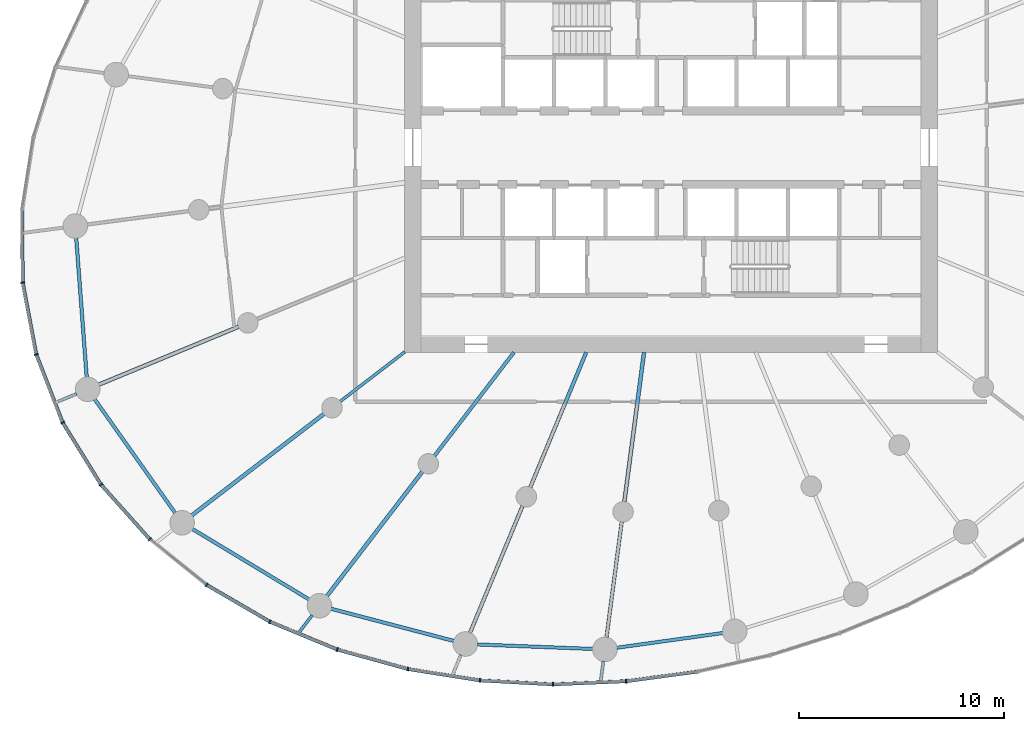
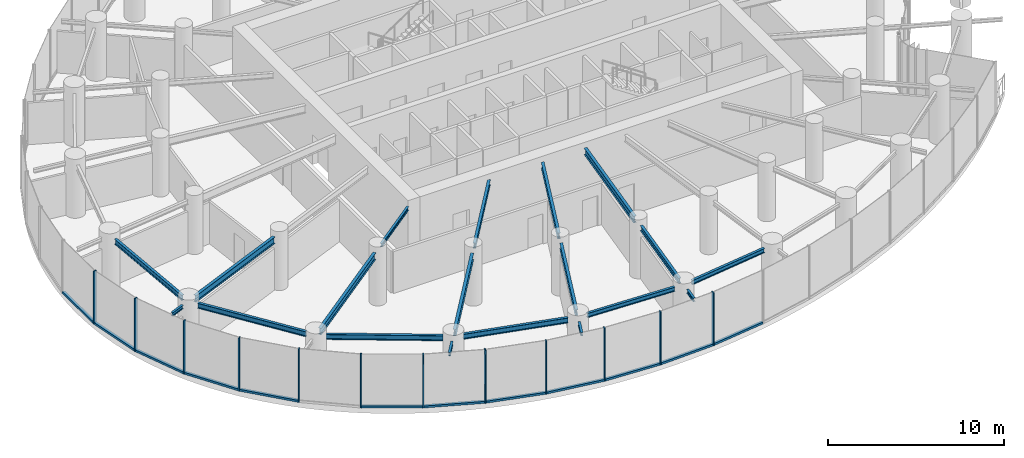
# One storey, part 2 of 21: 24 members, 19 beams, 3 elements without a shape of their own.
"""IFC4 building model written with IfcOpenShell, lengths in metres."""

from ifc_helpers import new_model, si_unit, direction, frame, origin, origin_2d, place, context, subcontext, project, spatial, rectangle, i_section, extrude, source, transform, mapped, material, layer, layer_set, material_profile, profile_set, type_object, element, aggregate, save


model = new_model("IFC4")

# Units and contexts
model_context = context("Model", 3, precision=1e-05, world=origin(), true_north=direction((0.0, 1.0)))
body_context = subcontext(model_context, "Body", "Model", "MODEL_VIEW")
ifc_project = project(units=[si_unit("LENGTHUNIT", "METRE"), si_unit("AREAUNIT", "SQUARE_METRE"), si_unit("VOLUMEUNIT", "CUBIC_METRE"), si_unit("PLANEANGLEUNIT", "RADIAN"), si_unit("MASSUNIT", "GRAM", prefix="KILO")], contexts=[model_context])

# Site, building, storey
site_placement = place(None, origin())
site = spatial("IfcSite", under=ifc_project, at=site_placement, CompositionType="ELEMENT")
building_placement = place(site_placement, origin())
building = spatial("IfcBuilding", under=site, at=building_placement, Name="Spindrift Exchange Tower", CompositionType="ELEMENT")
storey_placement = place(building_placement, frame((0.0, 0.0, 83.89990234375)))
storey = spatial("IfcBuildingStorey", under=building, at=storey_placement, Name="L19", CompositionType="ELEMENT", Elevation=83.89990234375)

# Beams
ifc_material_1 = material(Name="Steel Grade 300", Category="steel")
ifc_material_profile_1 = material_profile(ifc_material_1, i_section(OverallWidth=0.14599609375, OverallDepth=0.251953125, WebThickness=0.006103515625, FlangeThickness=0.008544921875, FilletRadius=0.011962890625, at=origin_2d()), Name="250UB31.4")
ifc_profile_set_1 = profile_set([ifc_material_profile_1], Name="Steel Grade 300")
beam_type_1 = type_object("IfcBeamType", Name="Floor Beam 250UB31.4 Steel Grade 300", PredefinedType="BEAM", material=ifc_profile_set_1)
shared_shape_1 = source(origin(), body_context, "Body", "SweptSolid", [
    extrude(i_section(OverallWidth=0.14599609375, OverallDepth=0.251953125, WebThickness=0.006103515625, FlangeThickness=0.008544921875, FilletRadius=0.011962890625, at=origin_2d()), origin(), (0.0, 0.0, 1.0), 3.99560546875),
])
beam_1_placement = place(storey_placement, frame((39.015869140625, 38.036865234375, 3.57421875), z_axis=(-0.793352561574, -0.608762443851, 0.0), x_axis=(0.608762443851, -0.793352561574, 0.0)))
element("IfcBeam", 1, at=beam_1_placement, inside=storey, type_object=beam_type_1, Name="L19 radial beam R15A", PredefinedType="BEAM", context=body_context, shape_type="MappedRepresentation", body=[
    mapped(shared_shape_1, transform((0.0, 0.0, 0.0), scale=1.0)),
])
ifc_material_profile_2 = material_profile(ifc_material_1, i_section(OverallWidth=0.172119140625, OverallDepth=0.35888671875, WebThickness=0.008056640625, FlangeThickness=0.012939453125, FilletRadius=0.013916015625, at=origin_2d()), Name="360UB56.7")
ifc_profile_set_2 = profile_set([ifc_material_profile_2], Name="Steel Grade 300")
beam_type_2 = type_object("IfcBeamType", Name="Floor Beam 360UB56.7 Steel Grade 300", PredefinedType="BEAM", material=ifc_profile_set_2)
shared_shape_2 = source(origin(), body_context, "Body", "SweptSolid", [
    extrude(i_section(OverallWidth=0.172119140625, OverallDepth=0.35888671875, WebThickness=0.008056640625, FlangeThickness=0.012939453125, FilletRadius=0.013916015625, at=origin_2d()), origin(), (0.0, 0.0, 1.0), 6.37646484375),
])
beam_2_placement = place(storey_placement, frame((44.3388671875, 38.015869140625, 3.5205078125), z_axis=(-0.608766669952, -0.793349318747, 0.0), x_axis=(0.793349318747, -0.608766669952, 0.0)))
element("IfcBeam", 2, at=beam_2_placement, inside=storey, type_object=beam_type_2, Name="L19 radial beam R16A", PredefinedType="BEAM", context=body_context, shape_type="MappedRepresentation", body=[
    mapped(shared_shape_2, transform((0.0, 0.0, 0.0), scale=1.0)),
])
ifc_material_profile_3 = material_profile(ifc_material_1, i_section(OverallWidth=0.177978515625, OverallDepth=0.406005859375, WebThickness=0.0078125, FlangeThickness=0.0126953125, FilletRadius=0.013916015625, at=origin_2d()), Name="410UB59.7")
ifc_profile_set_3 = profile_set([ifc_material_profile_3], Name="Steel Grade 300")
beam_type_3 = type_object("IfcBeamType", Name="Floor Beam 410UB59.7 Steel Grade 300", PredefinedType="BEAM", material=ifc_profile_set_3)
shared_shape_3 = source(origin(), body_context, "Body", "SweptSolid", [
    extrude(i_section(OverallWidth=0.177978515625, OverallDepth=0.406005859375, WebThickness=0.0078125, FlangeThickness=0.0126953125, FilletRadius=0.013916015625, at=origin_2d()), origin(), (0.0, 0.0, 1.0), 7.150634765625),
])
beam_3_placement = place(storey_placement, frame((47.865478515625, 38.0185546875, 3.4970703125), z_axis=(-0.382665393358, -0.923887004306, 0.0), x_axis=(0.923887004306, -0.382665393358, 0.0)))
element("IfcBeam", 3, at=beam_3_placement, inside=storey, type_object=beam_type_3, Name="L19 radial beam R17A", PredefinedType="BEAM", context=body_context, shape_type="MappedRepresentation", body=[
    mapped(shared_shape_3, transform((0.0, 0.0, 0.0), scale=1.0)),
])
ifc_material_profile_4 = material_profile(ifc_material_1, i_section(OverallWidth=0.18994140625, OverallDepth=0.45703125, WebThickness=0.009033203125, FlangeThickness=0.014404296875, FilletRadius=0.013916015625, at=origin_2d()), Name="460UB74.6")
ifc_profile_set_4 = profile_set([ifc_material_profile_4], Name="Steel Grade 300")
beam_type_4 = type_object("IfcBeamType", Name="Floor Beam 460UB74.6 Steel Grade 300", PredefinedType="BEAM", material=ifc_profile_set_4)
shared_shape_4 = source(origin(), body_context, "Body", "SweptSolid", [
    extrude(i_section(OverallWidth=0.18994140625, OverallDepth=0.45703125, WebThickness=0.009033203125, FlangeThickness=0.014404296875, FilletRadius=0.013916015625, at=origin_2d()), origin(), (0.0, 0.0, 1.0), 7.374267578125),
])
beam_4_placement = place(storey_placement, frame((50.68603515625, 38.019775390625, 3.4716796875), z_axis=(-0.130539295622, -0.99144313619, 0.0), x_axis=(0.99144313619, -0.130539295622, 0.0)))
element("IfcBeam", 4, at=beam_4_placement, inside=storey, type_object=beam_type_4, Name="L19 radial beam R18A", PredefinedType="BEAM", context=body_context, shape_type="MappedRepresentation", body=[
    mapped(shared_shape_4, transform((0.0, 0.0, 0.0), scale=1.0)),
])
shared_shape_5 = source(origin(), body_context, "Body", "SweptSolid", [
    extrude(i_section(OverallWidth=0.18994140625, OverallDepth=0.45703125, WebThickness=0.009033203125, FlangeThickness=0.014404296875, FilletRadius=0.013916015625, at=origin_2d()), origin(), (0.0, 0.0, 1.0), 7.400146484375),
])
beam_5_placement = place(storey_placement, frame((30.917236328125, 39.26708984375, 3.4716796875), z_axis=(-0.923886957755, -0.382665505749, 0.0), x_axis=(0.382665505749, -0.923886957755, 0.0)))
element("IfcBeam", 5, at=beam_5_placement, inside=storey, type_object=beam_type_4, Name="L19 radial beam R14B", PredefinedType="BEAM", context=body_context, shape_type="MappedRepresentation", body=[
    mapped(shared_shape_5, transform((0.0, 0.0, 0.0), scale=1.0)),
])
shared_shape_6 = source(origin(), body_context, "Body", "SweptSolid", [
    extrude(i_section(OverallWidth=0.18994140625, OverallDepth=0.45703125, WebThickness=0.009033203125, FlangeThickness=0.014404296875, FilletRadius=0.013916015625, at=origin_2d()), origin(), (0.0, 0.0, 1.0), 8.158447265625),
])
beam_6_placement = place(storey_placement, frame((35.08447265625, 35.020263671875, 3.4716796875), z_axis=(-0.793358732539, -0.608754401631, 0.0), x_axis=(0.608754401631, -0.793358732539, 0.0)))
element("IfcBeam", 6, at=beam_6_placement, inside=storey, type_object=beam_type_4, Name="L19 radial beam R15B", PredefinedType="BEAM", context=body_context, shape_type="MappedRepresentation", body=[
    mapped(shared_shape_6, transform((0.0, 0.0, 0.0), scale=1.0)),
])
shared_shape_7 = source(origin(), body_context, "Body", "SweptSolid", [
    extrude(i_section(OverallWidth=0.18994140625, OverallDepth=0.45703125, WebThickness=0.009033203125, FlangeThickness=0.014404296875, FilletRadius=0.013916015625, at=origin_2d()), origin(), (0.0, 0.0, 1.0), 7.663818359375),
])
beam_7_placement = place(storey_placement, frame((39.872802734375, 32.1953125, 3.4716796875), z_axis=(-0.608771227503, -0.793345821546, 0.0), x_axis=(0.793345821546, -0.608771227503, 0.0)))
element("IfcBeam", 7, at=beam_7_placement, inside=storey, type_object=beam_type_4, Name="L19 radial beam R16B", PredefinedType="BEAM", context=body_context, shape_type="MappedRepresentation", body=[
    mapped(shared_shape_7, transform((0.0, 0.0, 0.0), scale=1.0)),
])
shared_shape_8 = source(origin(), body_context, "Body", "SweptSolid", [
    extrude(i_section(OverallWidth=0.177978515625, OverallDepth=0.406005859375, WebThickness=0.0078125, FlangeThickness=0.0126953125, FilletRadius=0.013916015625, at=origin_2d()), origin(), (0.0, 0.0, 1.0), 6.71240234375),
])
beam_8_placement = place(storey_placement, frame((44.76171875, 30.525146484375, 3.4970703125), z_axis=(-0.382669812754, -0.923885173821, 0.0), x_axis=(0.923885173821, -0.382669812754, 0.0)))
element("IfcBeam", 8, at=beam_8_placement, inside=storey, type_object=beam_type_3, Name="L19 radial beam R17B", PredefinedType="BEAM", context=body_context, shape_type="MappedRepresentation", body=[
    mapped(shared_shape_8, transform((0.0, 0.0, 0.0), scale=1.0)),
])
shared_shape_9 = source(origin(), body_context, "Body", "SweptSolid", [
    extrude(i_section(OverallWidth=0.172119140625, OverallDepth=0.35888671875, WebThickness=0.008056640625, FlangeThickness=0.012939453125, FilletRadius=0.013916015625, at=origin_2d()), origin(), (0.0, 0.0, 1.0), 5.70751953125),
])
beam_9_placement = place(storey_placement, frame((49.59814453125, 29.7568359375, 3.5205078125), z_axis=(-0.130507624881, -0.991447305634, 0.0), x_axis=(0.991447305634, -0.130507624881, 0.0)))
element("IfcBeam", 9, at=beam_9_placement, inside=storey, type_object=beam_type_2, Name="L19 radial beam R18B", PredefinedType="BEAM", context=body_context, shape_type="MappedRepresentation", body=[
    mapped(shared_shape_9, transform((0.0, 0.0, 0.0), scale=1.0)),
])
ifc_material_profile_5 = material_profile(ifc_material_1, i_section(OverallWidth=0.172119140625, OverallDepth=0.35888671875, WebThickness=0.008056640625, FlangeThickness=0.012939453125, FilletRadius=0.013916015625, at=origin_2d()), Name="360UB56.7")
ifc_profile_set_5 = profile_set([ifc_material_profile_5], Name="Steel Grade 300")
beam_type_5 = type_object("IfcBeamType", Name="Edge Beam 360UB56.7 Steel Grade 300", PredefinedType="SPANDREL", material=ifc_profile_set_5)
shared_shape_10 = source(origin(), body_context, "Body", "SweptSolid", [
    extrude(i_section(OverallWidth=0.172119140625, OverallDepth=0.35888671875, WebThickness=0.008056640625, FlangeThickness=0.012939453125, FilletRadius=0.013916015625, at=origin_2d()), origin(), (0.0, 0.0, 1.0), 6.82373046875),
])
beam_10_placement = place(storey_placement, frame((22.9873046875, 43.59619140625, 3.5205078125), z_axis=(0.075276463877, -0.997162701863, 0.0), x_axis=(0.997162701863, 0.075276463877, 0.0)))
element("IfcBeam", 10, at=beam_10_placement, inside=storey, type_object=beam_type_5, Name="L19 edge beam E13", PredefinedType="SPANDREL", context=body_context, shape_type="MappedRepresentation", body=[
    mapped(shared_shape_10, transform((0.0, 0.0, 0.0), scale=1.0)),
])
shared_shape_11 = source(origin(), body_context, "Body", "SweptSolid", [
    extrude(i_section(OverallWidth=0.172119140625, OverallDepth=0.35888671875, WebThickness=0.008056640625, FlangeThickness=0.012939453125, FilletRadius=0.013916015625, at=origin_2d()), origin(), (0.0, 0.0, 1.0), 6.81787109375),
])
beam_11_placement = place(storey_placement, frame((23.87939453125, 35.739990234375, 3.5205078125), z_axis=(0.577526426198, -0.816371990604, 0.0), x_axis=(0.816371990604, 0.577526426198, 0.0)))
element("IfcBeam", 11, at=beam_11_placement, inside=storey, type_object=beam_type_5, Name="L19 edge beam E14", PredefinedType="SPANDREL", context=body_context, shape_type="MappedRepresentation", body=[
    mapped(shared_shape_11, transform((0.0, 0.0, 0.0), scale=1.0)),
])
shared_shape_12 = source(origin(), body_context, "Body", "SweptSolid", [
    extrude(i_section(OverallWidth=0.172119140625, OverallDepth=0.35888671875, WebThickness=0.008056640625, FlangeThickness=0.012939453125, FilletRadius=0.013916015625, at=origin_2d()), origin(), (0.0, 0.0, 1.0), 6.668701171875),
])
beam_12_placement = place(storey_placement, frame((28.6484375, 29.40087890625, 3.5205078125), z_axis=(0.856133207479, -0.516755194508, 0.0), x_axis=(0.516755194508, 0.856133207479, 0.0)))
element("IfcBeam", 12, at=beam_12_placement, inside=storey, type_object=beam_type_5, Name="L19 edge beam E15", PredefinedType="SPANDREL", context=body_context, shape_type="MappedRepresentation", body=[
    mapped(shared_shape_12, transform((0.0, 0.0, 0.0), scale=1.0)),
])
shared_shape_13 = source(origin(), body_context, "Body", "SweptSolid", [
    extrude(i_section(OverallWidth=0.172119140625, OverallDepth=0.35888671875, WebThickness=0.008056640625, FlangeThickness=0.012939453125, FilletRadius=0.013916015625, at=origin_2d()), origin(), (0.0, 0.0, 1.0), 6.197509765625),
])
beam_13_placement = place(storey_placement, frame((35.415283203125, 25.508056640625, 3.5205078125), z_axis=(0.967254420813, -0.253808757567, 0.0), x_axis=(0.253808757567, 0.967254420813, 0.0)))
element("IfcBeam", 13, at=beam_13_placement, inside=storey, type_object=beam_type_5, Name="L19 edge beam E16", PredefinedType="SPANDREL", context=body_context, shape_type="MappedRepresentation", body=[
    mapped(shared_shape_13, transform((0.0, 0.0, 0.0), scale=1.0)),
])
ifc_material_profile_6 = material_profile(ifc_material_1, i_section(OverallWidth=0.1650390625, OverallDepth=0.303955078125, WebThickness=0.006103515625, FlangeThickness=0.01025390625, FilletRadius=0.011474609375, at=origin_2d()), Name="310UB40.4")
ifc_profile_set_6 = profile_set([ifc_material_profile_6], Name="Steel Grade 300")
beam_type_6 = type_object("IfcBeamType", Name="Edge Beam 310UB40.4 Steel Grade 300", PredefinedType="SPANDREL", material=ifc_profile_set_6)
shared_shape_14 = source(origin(), body_context, "Body", "SweptSolid", [
    extrude(i_section(OverallWidth=0.1650390625, OverallDepth=0.303955078125, WebThickness=0.006103515625, FlangeThickness=0.01025390625, FilletRadius=0.011474609375, at=origin_2d()), origin(), (0.0, 0.0, 1.0), 5.65185546875),
])
beam_14_placement = place(storey_placement, frame((42.550537109375, 23.765380859375, 3.548095703125), z_axis=(0.99924397539, -0.038877726865, 0.0), x_axis=(0.038877726865, 0.99924397539, 0.0)))
element("IfcBeam", 14, at=beam_14_placement, inside=storey, type_object=beam_type_6, Name="L19 edge beam E17", PredefinedType="SPANDREL", context=body_context, shape_type="MappedRepresentation", body=[
    mapped(shared_shape_14, transform((0.0, 0.0, 0.0), scale=1.0)),
])
shared_shape_15 = source(origin(), body_context, "Body", "SweptSolid", [
    extrude(i_section(OverallWidth=0.1650390625, OverallDepth=0.303955078125, WebThickness=0.006103515625, FlangeThickness=0.01025390625, FilletRadius=0.011474609375, at=origin_2d()), origin(), (0.0, 0.0, 1.0), 5.22998046875),
])
beam_15_placement = place(storey_placement, frame((49.35205078125, 23.603271484375, 3.548095703125), z_axis=(0.990440078597, 0.137943650481, 0.0), x_axis=(-0.137943650481, 0.990440078597, 0.0)))
element("IfcBeam", 15, at=beam_15_placement, inside=storey, type_object=beam_type_6, Name="L19 edge beam E18", PredefinedType="SPANDREL", context=body_context, shape_type="MappedRepresentation", body=[
    mapped(shared_shape_15, transform((0.0, 0.0, 0.0), scale=1.0)),
])
ifc_material_profile_7 = material_profile(ifc_material_1, i_section(OverallWidth=0.14599609375, OverallDepth=0.251953125, WebThickness=0.006103515625, FlangeThickness=0.008544921875, FilletRadius=0.011962890625, at=origin_2d()), Name="250UB31.4")
ifc_profile_set_7 = profile_set([ifc_material_profile_7], Name="Steel Grade 300")
beam_type_7 = type_object("IfcBeamType", Name="Cantilever Beam 250UB31.4 Steel Grade 300", PredefinedType="BEAM", material=ifc_profile_set_7)
shared_shape_16 = source(origin(), body_context, "Body", "SweptSolid", [
    extrude(i_section(OverallWidth=0.14599609375, OverallDepth=0.251953125, WebThickness=0.006103515625, FlangeThickness=0.008544921875, FilletRadius=0.011962890625, at=origin_2d()), origin(), (0.0, 0.0, 1.0), 0.986328125),
])
beam_16_placement = place(storey_placement, frame((23.0087890625, 35.991455078125, 3.57421875), z_axis=(-0.92390221415, -0.382628669455, 0.0), x_axis=(0.382628669455, -0.92390221415, 0.0)))
element("IfcBeam", 16, at=beam_16_placement, inside=storey, type_object=beam_type_7, Name="L19 cantilever beam R14T", PredefinedType="BEAM", context=body_context, shape_type="MappedRepresentation", body=[
    mapped(shared_shape_16, transform((0.0, 0.0, 0.0), scale=1.0)),
])
shared_shape_17 = source(origin(), body_context, "Body", "SweptSolid", [
    extrude(i_section(OverallWidth=0.14599609375, OverallDepth=0.251953125, WebThickness=0.006103515625, FlangeThickness=0.008544921875, FilletRadius=0.011962890625, at=origin_2d()), origin(), (0.0, 0.0, 1.0), 1.150634765625),
])
beam_17_placement = place(storey_placement, frame((34.501220703125, 25.195068359375, 3.57421875), z_axis=(-0.608756673514, -0.793356989288, 0.0), x_axis=(0.793356989288, -0.608756673514, 0.0)))
element("IfcBeam", 17, at=beam_17_placement, inside=storey, type_object=beam_type_7, Name="L19 cantilever beam R16T", PredefinedType="BEAM", context=body_context, shape_type="MappedRepresentation", body=[
    mapped(shared_shape_17, transform((0.0, 0.0, 0.0), scale=1.0)),
])
shared_shape_18 = source(origin(), body_context, "Body", "SweptSolid", [
    extrude(i_section(OverallWidth=0.14599609375, OverallDepth=0.251953125, WebThickness=0.006103515625, FlangeThickness=0.008544921875, FilletRadius=0.011962890625, at=origin_2d()), origin(), (0.0, 0.0, 1.0), 1.110107421875),
])
beam_18_placement = place(storey_placement, frame((41.7490234375, 23.251953125, 3.57421875), z_axis=(-0.382662563028, -0.923888176598, 0.0), x_axis=(0.923888176598, -0.382662563028, 0.0)))
element("IfcBeam", 18, at=beam_18_placement, inside=storey, type_object=beam_type_7, Name="L19 cantilever beam R17T", PredefinedType="BEAM", context=body_context, shape_type="MappedRepresentation", body=[
    mapped(shared_shape_18, transform((0.0, 0.0, 0.0), scale=1.0)),
])
shared_shape_19 = source(origin(), body_context, "Body", "SweptSolid", [
    extrude(i_section(OverallWidth=0.14599609375, OverallDepth=0.251953125, WebThickness=0.006103515625, FlangeThickness=0.008544921875, FilletRadius=0.011962890625, at=origin_2d()), origin(), (0.0, 0.0, 1.0), 0.97802734375),
])
beam_19_placement = place(storey_placement, frame((48.701904296875, 22.9482421875, 3.57421875), z_axis=(-0.130544907794, -0.991442397242, 0.0), x_axis=(0.991442397242, -0.130544907794, 0.0)))
element("IfcBeam", 19, at=beam_19_placement, inside=storey, type_object=beam_type_7, Name="L19 cantilever beam R18T", PredefinedType="BEAM", context=body_context, shape_type="MappedRepresentation", body=[
    mapped(shared_shape_19, transform((0.0, 0.0, 0.0), scale=1.0)),
])

# Curtain wall, members
ifc_material_2 = material(Name="Fritted laminated glass with bronze frame", Category="glass")
ifc_layer = layer(ifc_material_2, 0.18994140625)
ifc_layer_set = layer_set([ifc_layer], Name="ZONE 2 BRONZE FRITTED WALL")
curtain_wall_type = type_object("IfcCurtainWallType", Name="ZONE 2 BRONZE FRITTED WALL", PredefinedType="NOTDEFINED", material=ifc_layer_set)
curtain_wall_1_placement = place(storey_placement, origin())
curtain_wall_1 = element("IfcCurtainWall", 20, at=curtain_wall_1_placement, inside=storey, type_object=curtain_wall_type, Name="L19 Zone 2 Bronze Fritted Wall run 5", PredefinedType="NOTDEFINED")
ifc_material_3 = material(Name="Bronze anodised aluminium", Category="aluminium")
ifc_material_profile_8 = material_profile(ifc_material_3, rectangle(XDim=0.169921875, YDim=0.139892578125, at=origin_2d()), Name="ZONE 2 BRONZE FRITTED WALL TRANSOM 170X140")
ifc_profile_set_8 = profile_set([ifc_material_profile_8], Name="Bronze anodised aluminium")
member_type_1 = type_object("IfcMemberType", Name="ZONE 2 BRONZE FRITTED WALL TRANSOM 170X140", PredefinedType="USERDEFINED", material=ifc_profile_set_8)
shared_shape_20 = source(origin(), body_context, "Body", "SweptSolid", [
    extrude(rectangle(XDim=0.169921875, YDim=0.139892578125, at=origin_2d()), origin(), (0.0, 0.0, 1.0), 3.4912109375),
])
member_1_placement = place(storey_placement, frame((42.72314453125, 22.009765625, 0.070068359375), z_axis=(0.998560450596, -0.053637920415, 0.0), x_axis=(0.053637920415, 0.998560450596, 0.0)))
member_1 = element("IfcMember", 21, at=member_1_placement, type_object=member_type_1, Name="L19 transom CW-2.26", ObjectType="TRANSOM", PredefinedType="USERDEFINED", context=body_context, shape_type="MappedRepresentation", body=[
    mapped(shared_shape_20, transform((0.0, 0.0, 0.0), scale=1.0)),
])
shared_shape_21 = source(origin(), body_context, "Body", "SweptSolid", [
    extrude(rectangle(XDim=0.169921875, YDim=0.139892578125, at=origin_2d()), origin(), (0.0, 0.0, 1.0), 3.49169921875),
])
member_2_placement = place(storey_placement, frame((49.84716796875, 21.97705078125, 0.070068359375), z_axis=(0.991079497499, 0.133272013704, 0.0), x_axis=(-0.133272013704, 0.991079497499, 0.0)))
member_2 = element("IfcMember", 22, at=member_2_placement, type_object=member_type_1, Name="L19 transom CW-2.28", ObjectType="TRANSOM", PredefinedType="USERDEFINED", context=body_context, shape_type="MappedRepresentation", body=[
    mapped(shared_shape_21, transform((0.0, 0.0, 0.0), scale=1.0)),
])

# Curtain wall, member
curtain_wall_2_placement = place(storey_placement, origin())
curtain_wall_2 = element("IfcCurtainWall", 23, at=curtain_wall_2_placement, inside=storey, type_object=curtain_wall_type, Name="L19 Zone 2 Bronze Fritted Wall run 4", PredefinedType="NOTDEFINED")
shared_shape_22 = source(origin(), body_context, "Body", "SweptSolid", [
    extrude(rectangle(XDim=0.169921875, YDim=0.139892578125, at=origin_2d()), origin(), (0.0, 0.0, 1.0), 3.48828125),
])
member_3_placement = place(storey_placement, frame((24.2216796875, 31.531005859375, 0.070068359375), z_axis=(0.666420396369, -0.74557619014, 0.0), x_axis=(0.74557619014, 0.666420396369, 0.0)))
member_3 = element("IfcMember", 24, at=member_3_placement, type_object=member_type_1, Name="L19 transom CW-2.20", ObjectType="TRANSOM", PredefinedType="USERDEFINED", context=body_context, shape_type="MappedRepresentation", body=[
    mapped(shared_shape_22, transform((0.0, 0.0, 0.0), scale=1.0)),
])

curtain_wall_3_placement = place(storey_placement, origin())
curtain_wall_3 = element("IfcCurtainWall", 25, at=curtain_wall_3_placement, inside=storey, type_object=curtain_wall_type, Name="L19 Zone 2 Bronze Fritted Wall run 3", PredefinedType="NOTDEFINED")
shared_shape_23 = source(origin(), body_context, "Body", "SweptSolid", [
    extrude(rectangle(XDim=0.169921875, YDim=0.139892578125, at=origin_2d()), origin(), (0.0, 0.0, 1.0), 3.487548828125),
])
member_4_placement = place(storey_placement, frame((21.051513671875, 37.877685546875, 0.070068359375), z_axis=(0.36129063518, -0.932453257237, 0.0), x_axis=(0.932453257237, 0.36129063518, 0.0)))
member_4 = element("IfcMember", 26, at=member_4_placement, type_object=member_type_1, Name="L19 transom CW-2.18", ObjectType="TRANSOM", PredefinedType="USERDEFINED", context=body_context, shape_type="MappedRepresentation", body=[
    mapped(shared_shape_23, transform((0.0, 0.0, 0.0), scale=1.0)),
])

# Member
shared_shape_24 = source(origin(), body_context, "Body", "SweptSolid", [
    extrude(rectangle(XDim=0.169921875, YDim=0.139892578125, at=origin_2d()), origin(), (0.0, 0.0, 1.0), 3.49072265625),
])
member_5_placement = place(storey_placement, frame((35.76171875, 23.50537109375, 0.070068359375), z_axis=(0.964113694781, -0.265489705142, 0.0), x_axis=(0.265489705142, 0.964113694781, 0.0)))
member_5 = element("IfcMember", 27, at=member_5_placement, type_object=member_type_1, Name="L19 transom CW-2.24", ObjectType="TRANSOM", PredefinedType="USERDEFINED", context=body_context, shape_type="MappedRepresentation", body=[
    mapped(shared_shape_24, transform((0.0, 0.0, 0.0), scale=1.0)),
])

shared_shape_25 = source(origin(), body_context, "Body", "SweptSolid", [
    extrude(rectangle(XDim=0.169921875, YDim=0.139892578125, at=origin_2d()), origin(), (0.0, 0.0, 1.0), 3.491455078125),
])
member_6_placement = place(storey_placement, frame((46.2841796875, 21.822021484375, 0.070068359375), z_axis=(0.999095840683, 0.042514716625, 0.0), x_axis=(-0.042514716625, 0.999095840683, 0.0)))
member_6 = element("IfcMember", 28, at=member_6_placement, type_object=member_type_1, Name="L19 transom CW-2.27", ObjectType="TRANSOM", PredefinedType="USERDEFINED", context=body_context, shape_type="MappedRepresentation", body=[
    mapped(shared_shape_25, transform((0.0, 0.0, 0.0), scale=1.0)),
])

ifc_material_profile_9 = material_profile(ifc_material_3, rectangle(XDim=0.074951171875, YDim=0.18994140625, at=origin_2d()), Name="ZONE 2 BRONZE FRITTED WALL MULLION 75X190")
ifc_profile_set_9 = profile_set([ifc_material_profile_9], Name="Bronze anodised aluminium")
member_type_2 = type_object("IfcMemberType", Name="ZONE 2 BRONZE FRITTED WALL MULLION 75X190", PredefinedType="MULLION", material=ifc_profile_set_9)
shared_shape_26 = source(origin(), body_context, "Body", "SweptSolid", [
    extrude(rectangle(XDim=0.074951171875, YDim=0.18994140625, at=origin_2d()), origin(), (0.0, 0.0, 1.0), 3.7001953125),
])
member_7_placement = place(storey_placement, frame((20.3779296875, 41.4140625, 0.0), z_axis=(0.0, 0.0, 1.0), x_axis=(0.097953756367, -0.99519096741, 0.0)))
member_7 = element("IfcMember", 29, at=member_7_placement, type_object=member_type_2, Name="L19 mullion CW-2.17", PredefinedType="MULLION", context=body_context, shape_type="MappedRepresentation", body=[
    mapped(shared_shape_26, transform((0.0, 0.0, 0.0), scale=1.0)),
])

member_8_placement = place(storey_placement, frame((21.037841796875, 37.91259765625, 0.0), z_axis=(0.0, 0.0, 1.0), x_axis=(0.274410030786, -0.961612778099, 0.0)))
member_8 = element("IfcMember", 30, at=member_8_placement, type_object=member_type_2, Name="L19 mullion CW-2.18", PredefinedType="MULLION", context=body_context, shape_type="MappedRepresentation", body=[
    mapped(shared_shape_26, transform((0.0, 0.0, 0.0), scale=1.0)),
])

member_9_placement = place(storey_placement, frame((22.3251953125, 34.5908203125, 0.0), z_axis=(0.0, 0.0, 1.0), x_axis=(0.445174902469, -0.895443636535, 0.0)))
member_9 = element("IfcMember", 31, at=member_9_placement, type_object=member_type_2, Name="L19 mullion CW-2.19", PredefinedType="MULLION", context=body_context, shape_type="MappedRepresentation", body=[
    mapped(shared_shape_26, transform((0.0, 0.0, 0.0), scale=1.0)),
])

member_10_placement = place(storey_placement, frame((24.19677734375, 31.55908203125, 0.0), z_axis=(0.0, 0.0, 1.0), x_axis=(0.598199253128, -0.801347398796, 0.0)))
member_10 = element("IfcMember", 32, at=member_10_placement, type_object=member_type_2, Name="L19 mullion CW-2.20", PredefinedType="MULLION", context=body_context, shape_type="MappedRepresentation", body=[
    mapped(shared_shape_26, transform((0.0, 0.0, 0.0), scale=1.0)),
])

member_11_placement = place(storey_placement, frame((26.571533203125, 28.90234375, 0.0), z_axis=(0.0, 0.0, 1.0), x_axis=(0.725364511569, -0.688364965231, 0.0)))
member_11 = element("IfcMember", 33, at=member_11_placement, type_object=member_type_2, Name="L19 mullion CW-2.21", PredefinedType="MULLION", context=body_context, shape_type="MappedRepresentation", body=[
    mapped(shared_shape_26, transform((0.0, 0.0, 0.0), scale=1.0)),
])

member_12_placement = place(storey_placement, frame((29.349365234375, 26.669189453125, 0.0), z_axis=(0.0, 0.0, 1.0), x_axis=(0.82412872114, -0.56640255207, 0.0)))
member_12 = element("IfcMember", 34, at=member_12_placement, type_object=member_type_2, Name="L19 mullion CW-2.22", PredefinedType="MULLION", context=body_context, shape_type="MappedRepresentation", body=[
    mapped(shared_shape_26, transform((0.0, 0.0, 0.0), scale=1.0)),
])

member_13_placement = place(storey_placement, frame((32.43017578125, 24.8759765625, 0.0), z_axis=(0.0, 0.0, 1.0), x_axis=(0.896340221336, -0.443366899549, 0.0)))
member_13 = element("IfcMember", 35, at=member_13_placement, type_object=member_type_2, Name="L19 mullion CW-2.23", PredefinedType="MULLION", context=body_context, shape_type="MappedRepresentation", body=[
    mapped(shared_shape_26, transform((0.0, 0.0, 0.0), scale=1.0)),
])

member_14_placement = place(storey_placement, frame((35.7255859375, 23.515380859375, 0.0), z_axis=(0.0, 0.0, 1.0), x_axis=(0.946001472354, -0.324162327089, 0.0)))
member_14 = element("IfcMember", 36, at=member_14_placement, type_object=member_type_2, Name="L19 mullion CW-2.24", PredefinedType="MULLION", context=body_context, shape_type="MappedRepresentation", body=[
    mapped(shared_shape_26, transform((0.0, 0.0, 0.0), scale=1.0)),
])

member_15_placement = place(storey_placement, frame((39.163330078125, 22.568603515625, 0.0), z_axis=(0.0, 0.0, 1.0), x_axis=(0.9774509983, -0.211162368623, 0.0)))
member_15 = element("IfcMember", 37, at=member_15_placement, type_object=member_type_2, Name="L19 mullion CW-2.25", PredefinedType="MULLION", context=body_context, shape_type="MappedRepresentation", body=[
    mapped(shared_shape_26, transform((0.0, 0.0, 0.0), scale=1.0)),
])

member_16_placement = place(storey_placement, frame((42.685546875, 22.01171875, 0.0), z_axis=(0.0, 0.0, 1.0), x_axis=(0.994466084933, -0.105058107344, 0.0)))
member_16 = element("IfcMember", 38, at=member_16_placement, type_object=member_type_2, Name="L19 mullion CW-2.26", PredefinedType="MULLION", context=body_context, shape_type="MappedRepresentation", body=[
    mapped(shared_shape_26, transform((0.0, 0.0, 0.0), scale=1.0)),
])

member_17_placement = place(storey_placement, frame((46.24658203125, 21.8203125, 0.0), z_axis=(0.0, 0.0, 1.0), x_axis=(0.999984467041, -0.005573659199, 0.0)))
member_17 = element("IfcMember", 39, at=member_17_placement, type_object=member_type_2, Name="L19 mullion CW-2.27", PredefinedType="MULLION", context=body_context, shape_type="MappedRepresentation", body=[
    mapped(shared_shape_26, transform((0.0, 0.0, 0.0), scale=1.0)),
])

member_18_placement = place(storey_placement, frame((49.809814453125, 21.97216796875, 0.0), z_axis=(0.0, 0.0, 1.0), x_axis=(0.996122497945, 0.087977094106, 0.0)))
member_18 = element("IfcMember", 40, at=member_18_placement, type_object=member_type_2, Name="L19 mullion CW-2.28", PredefinedType="MULLION", context=body_context, shape_type="MappedRepresentation", body=[
    mapped(shared_shape_26, transform((0.0, 0.0, 0.0), scale=1.0)),
])

shared_shape_27 = source(origin(), body_context, "Body", "SweptSolid", [
    extrude(rectangle(XDim=0.169921875, YDim=0.139892578125, at=origin_2d()), origin(), (0.0, 0.0, 1.0), 3.490966796875),
])
member_19_placement = place(storey_placement, frame((39.200439453125, 22.562744140625, 0.070068359375), z_axis=(0.987731759305, -0.156160083442, 0.0), x_axis=(0.156160083442, 0.987731759305, 0.0)))
member_19 = element("IfcMember", 41, at=member_19_placement, type_object=member_type_1, Name="L19 transom CW-2.25", ObjectType="TRANSOM", PredefinedType="USERDEFINED", context=body_context, shape_type="MappedRepresentation", body=[
    mapped(shared_shape_27, transform((0.0, 0.0, 0.0), scale=1.0)),
])

aggregate(curtain_wall_1, [member_15, member_19, member_16, member_1, member_17, member_6, member_18, member_2])

shared_shape_28 = source(origin(), body_context, "Body", "SweptSolid", [
    extrude(rectangle(XDim=0.169921875, YDim=0.139892578125, at=origin_2d()), origin(), (0.0, 0.0, 1.0), 3.490234375),
])
member_20_placement = place(storey_placement, frame((32.46484375, 24.861572265625, 0.070068359375), z_axis=(0.924334382455, -0.381583476335, 0.0), x_axis=(0.381583476335, 0.924334382455, 0.0)))
member_20 = element("IfcMember", 42, at=member_20_placement, type_object=member_type_1, Name="L19 transom CW-2.23", ObjectType="TRANSOM", PredefinedType="USERDEFINED", context=body_context, shape_type="MappedRepresentation", body=[
    mapped(shared_shape_28, transform((0.0, 0.0, 0.0), scale=1.0)),
])

shared_shape_29 = source(origin(), body_context, "Body", "SweptSolid", [
    extrude(rectangle(XDim=0.169921875, YDim=0.139892578125, at=origin_2d()), origin(), (0.0, 0.0, 1.0), 3.488525390625),
])
member_21_placement = place(storey_placement, frame((20.343017578125, 44.939697265625, 0.070068359375), z_axis=(0.009937919073, -0.999950617663, 0.0), x_axis=(0.999950617663, 0.009937919073, 0.0)))
member_21 = element("IfcMember", 43, at=member_21_placement, type_object=member_type_1, Name="L19 transom CW-2.16", ObjectType="TRANSOM", PredefinedType="USERDEFINED", context=body_context, shape_type="MappedRepresentation", body=[
    mapped(shared_shape_29, transform((0.0, 0.0, 0.0), scale=1.0)),
])

shared_shape_30 = source(origin(), body_context, "Body", "SweptSolid", [
    extrude(rectangle(XDim=0.169921875, YDim=0.139892578125, at=origin_2d()), origin(), (0.0, 0.0, 1.0), 3.488037109375),
])
member_22_placement = place(storey_placement, frame((20.385009765625, 41.377197265625, 0.070068359375), z_axis=(0.185201268913, -0.982700610559, 0.0), x_axis=(0.982700610559, 0.185201268913, 0.0)))
member_22 = element("IfcMember", 44, at=member_22_placement, type_object=member_type_1, Name="L19 transom CW-2.17", ObjectType="TRANSOM", PredefinedType="USERDEFINED", context=body_context, shape_type="MappedRepresentation", body=[
    mapped(shared_shape_30, transform((0.0, 0.0, 0.0), scale=1.0)),
])

aggregate(curtain_wall_3, [member_21, member_7, member_22, member_8, member_4])

member_23_placement = place(storey_placement, frame((22.3447265625, 34.558837890625, 0.070068359375), z_axis=(0.525303617055, -0.850914866428, 0.0), x_axis=(0.850914866428, 0.525303617055, 0.0)))
member_23 = element("IfcMember", 45, at=member_23_placement, type_object=member_type_1, Name="L19 transom CW-2.19", ObjectType="TRANSOM", PredefinedType="USERDEFINED", context=body_context, shape_type="MappedRepresentation", body=[
    mapped(shared_shape_30, transform((0.0, 0.0, 0.0), scale=1.0)),
])

shared_shape_31 = source(origin(), body_context, "Body", "SweptSolid", [
    extrude(rectangle(XDim=0.169921875, YDim=0.139892578125, at=origin_2d()), origin(), (0.0, 0.0, 1.0), 3.48974609375),
])
member_24_placement = place(storey_placement, frame((29.381591796875, 26.650390625, 0.070068359375), z_axis=(0.864250460831, -0.50306176654, 0.0), x_axis=(0.50306176654, 0.864250460831, 0.0)))
member_24 = element("IfcMember", 46, at=member_24_placement, type_object=member_type_1, Name="L19 transom CW-2.22", ObjectType="TRANSOM", PredefinedType="USERDEFINED", context=body_context, shape_type="MappedRepresentation", body=[
    mapped(shared_shape_31, transform((0.0, 0.0, 0.0), scale=1.0)),
])

aggregate(curtain_wall_2, [member_9, member_23, member_10, member_3, member_11, member_12, member_24, member_13, member_20, member_14, member_5])

save(model, "model.ifc")
